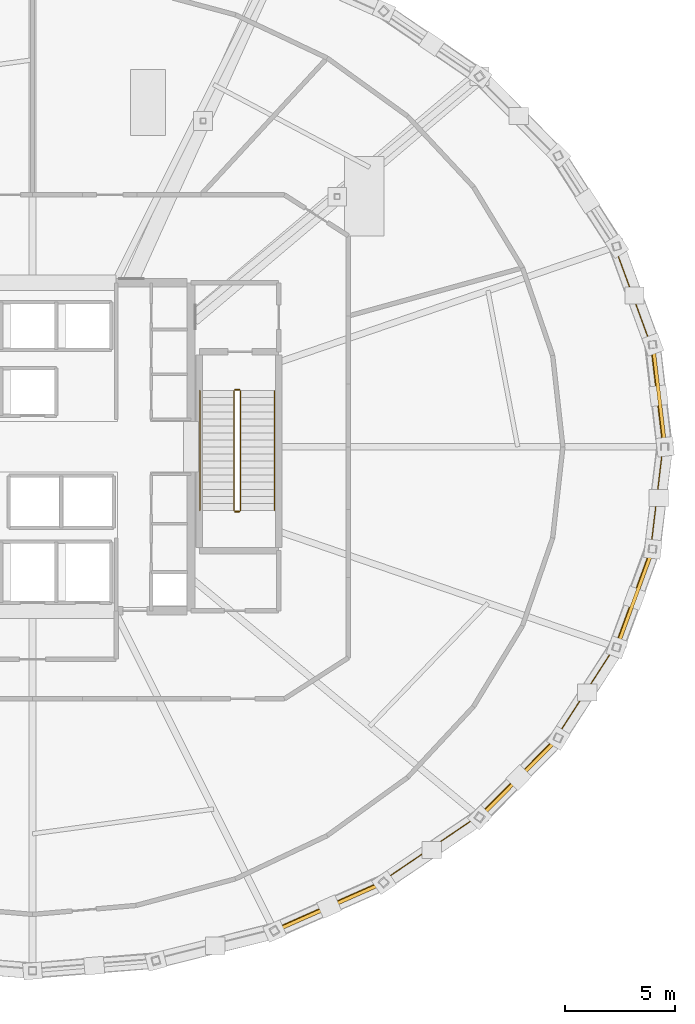
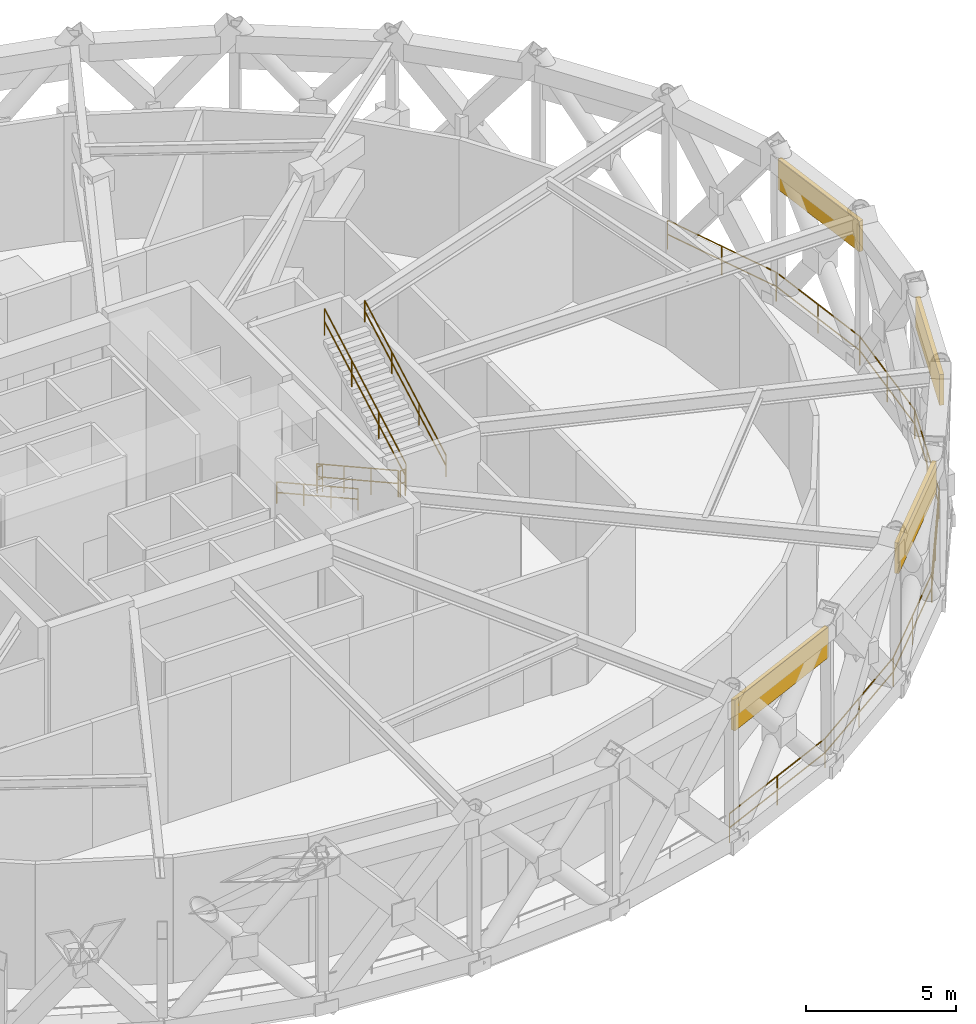
# One storey, part 13 of 15: 10 railings, 4 shading devices.
"""IFC4 building model written with IfcOpenShell, lengths in metres."""

import ifcopenshell
import ifcopenshell.guid

model = None  # the IFC model being written
_history = None  # IfcOwnerHistory: only IFC2X3 demands one
_inside = {}  # id of a spatial element -> (the spatial element, [elements in it])
_under = {}  # id of a project, library or spatial element -> (it, [spatial elements below it])
_declared = {}  # id of a project -> (the project, [libraries it declares])
_typed = {}  # id of a type object -> (the type object, [elements of that type])
_made_of = {}  # id of a material, layer set ... -> (it, [elements and type objects made of it])


def new_model(schema):
    """Start an empty IFC model of exactly this schema.

    Asked for "IFC4X3", IfcOpenShell would pick the latest addendum, in which some entities
    have other attributes; the version numbers below select the first issue.
    IFC2X3 requires an IfcOwnerHistory on every rooted entity: one is made here for all.
    """
    global model, _history
    if schema == "IFC4X3":
        model = ifcopenshell.file(schema_version=(4, 3, 0, 0))
    else:
        model = ifcopenshell.file(schema=schema)
    _inside.clear()
    _under.clear()
    _declared.clear()
    _typed.clear()
    _made_of.clear()
    _history = None
    if model.schema == "IFC2X3":
        org = make("IfcOrganization", Name="unknown")
        user = make(
            "IfcPersonAndOrganization",
            ThePerson=make("IfcPerson", FamilyName="unknown"),
            TheOrganization=org,
        )
        app = make(
            "IfcApplication",
            ApplicationDeveloper=org,
            Version="unknown",
            ApplicationFullName="unknown",
            ApplicationIdentifier="unknown",
        )
        _history = make(
            "IfcOwnerHistory",
            OwningUser=user,
            OwningApplication=app,
            ChangeAction="ADDED",
            CreationDate=0,
        )
    return model


def make(cls, **values):
    """One entity of the class cls with the attributes given. An attribute that is None is left unset."""
    return model.create_entity(
        cls, **{name: value for name, value in values.items() if value is not None}
    )


def rooted(cls, **values):
    """An entity with a GlobalId (a new one), such as an element, a storey or a relation."""
    return make(cls, GlobalId=ifcopenshell.guid.new(), OwnerHistory=_history, **values)


def si_unit(unit_type, name, prefix=None):
    """IfcSIUnit, for example si_unit("LENGTHUNIT", "METRE", prefix="MILLI")."""
    return make("IfcSIUnit", UnitType=unit_type, Prefix=prefix, Name=name)


def assignment(units):
    """IfcUnitAssignment: the units of a project."""
    return None if units is None else make("IfcUnitAssignment", Units=units)


def point(xyz):
    """IfcCartesianPoint."""
    return None if xyz is None else make("IfcCartesianPoint", Coordinates=xyz)


def direction(xyz):
    """IfcDirection."""
    return None if xyz is None else make("IfcDirection", DirectionRatios=xyz)


def frame(location, z_axis=None, x_axis=None):
    """IfcAxis2Placement3D, a coordinate frame: its origin and axes. An axis left out is left unset."""
    return make(
        "IfcAxis2Placement3D",
        Location=point(location),
        Axis=direction(z_axis),
        RefDirection=direction(x_axis),
    )


def frame_2d(location, x_axis=None):
    """IfcAxis2Placement2D, a coordinate frame in the plane: its origin and x axis."""
    return make(
        "IfcAxis2Placement2D", Location=point(location), RefDirection=direction(x_axis)
    )


def origin():
    """The frame at (0, 0, 0) with its axes left unset."""
    return frame((0.0, 0.0, 0.0))


def origin_2d():
    """The frame at (0, 0) in the plane with its x axis left unset."""
    return frame_2d((0.0, 0.0))


def place(relative_to, where):
    """IfcLocalPlacement: puts the frame where relative to a parent placement (None: the world)."""
    return make(
        "IfcLocalPlacement", PlacementRelTo=relative_to, RelativePlacement=where
    )


def context(
    kind, dimensions, precision=None, world=None, true_north=None, identifier=None
):
    """IfcGeometricRepresentationContext, for example the 3D "Model" context."""
    return make(
        "IfcGeometricRepresentationContext",
        ContextIdentifier=identifier,
        ContextType=kind,
        CoordinateSpaceDimension=dimensions,
        Precision=precision,
        WorldCoordinateSystem=world,
        TrueNorth=true_north,
    )


def subcontext(parent, identifier, kind, view, scale=None):
    """IfcGeometricRepresentationSubContext, for example "Body" below "Model"."""
    return make(
        "IfcGeometricRepresentationSubContext",
        ContextIdentifier=identifier,
        ContextType=kind,
        ParentContext=parent,
        TargetScale=scale,
        TargetView=view,
    )


def project(units=None, contexts=None):
    """IfcProject with its units and contexts."""
    return rooted(
        "IfcProject",
        Name="project",
        RepresentationContexts=contexts,
        UnitsInContext=assignment(units),
    )


def spatial(cls, under=None, at=None, **own):
    """A site, building, storey or space (cls), placed at a placement, below another one or the project."""
    s = rooted(cls, ObjectPlacement=at, **own)
    if under is not None:
        _under.setdefault(under.id(), (under, []))[1].append(s)
    return s


def profile(cls, at=None, kind="AREA", **sizes):
    """A parametric profile (cls). Its sizes go by their IFC names, for example OverallWidth=200.0."""
    return make(cls, ProfileType=kind, Position=at, **sizes)


def rectangle(**sizes):
    """IfcRectangleProfileDef."""
    return profile("IfcRectangleProfileDef", **sizes)


def circle(**sizes):
    """IfcCircleProfileDef."""
    return profile("IfcCircleProfileDef", **sizes)


def extrude(swept, where, along, depth):
    """IfcExtrudedAreaSolid: the profile swept, set in the frame where, extruded along a direction by depth."""
    return make(
        "IfcExtrudedAreaSolid",
        SweptArea=swept,
        Position=where,
        ExtrudedDirection=direction(along),
        Depth=depth,
    )


def shape(context_of_items, identifier, shape_type, items):
    """IfcShapeRepresentation: the items that make up one representation, for example the "Body"."""
    return make(
        "IfcShapeRepresentation",
        ContextOfItems=context_of_items,
        RepresentationIdentifier=identifier,
        RepresentationType=shape_type,
        Items=items,
    )


def material(Name=None, Category=None):
    """IfcMaterial."""
    return make("IfcMaterial", Name=Name, Category=Category)


def layer(
    of_material, thickness, ventilated=None, Name=None, Category=None, Priority=None
):
    """IfcMaterialLayer: one layer of a wall or slab, of a material (None: an air gap)."""
    return make(
        "IfcMaterialLayer",
        Material=of_material,
        LayerThickness=thickness,
        IsVentilated=ventilated,
        Name=Name,
        Category=Category,
        Priority=Priority,
    )


def layer_set(layers, Name=None):
    """IfcMaterialLayerSet."""
    return make("IfcMaterialLayerSet", MaterialLayers=layers, LayerSetName=Name)


def made_of(thing, what):
    """Note that an element or type object is made of a material, layer set ...; save() writes the relation."""
    if what is not None:
        _made_of.setdefault(what.id(), (what, []))[1].append(thing)
    return thing


def type_object(cls, material=None, **own):
    """A type object (cls), such as IfcWallType, which elements share."""
    return made_of(rooted(cls, **own), material)


def element(
    cls,
    number,
    at=None,
    inside=None,
    cuts=None,
    type_object=None,
    material=None,
    context=None,
    identifier="Body",
    shape_type=None,
    held_by="IfcProductDefinitionShape",
    body=None,
    shapes=None,
    **own,
):
    """One element of the class cls, such as IfcWall. Its Tag is "e" and its number.

    at: its placement. inside: the storey or other place that contains it. cuts: it is an
    opening in that element (IfcRelVoidsElement). A single representation is given by context,
    identifier, shape_type and body (its items); several are given by shapes. held_by: the class
    of the entity that holds the representations. save() writes the other relations.
    """
    e = rooted(cls, Tag="e%d" % number, ObjectPlacement=at, **own)
    if body is not None:
        shapes = [shape(context, identifier, shape_type, body)]
    if shapes is not None:
        e.Representation = make(held_by, Representations=shapes)
    if inside is not None:
        _inside.setdefault(inside.id(), (inside, []))[1].append(e)
    if cuts is not None:
        rooted(
            "IfcRelVoidsElement", RelatingBuildingElement=cuts, RelatedOpeningElement=e
        )
    if type_object is not None:
        _typed.setdefault(type_object.id(), (type_object, []))[1].append(e)
    return made_of(e, material)


def aggregate(whole, parts):
    """IfcRelAggregates: a whole, such as a stair, and the parts it consists of."""
    return rooted("IfcRelAggregates", RelatingObject=whole, RelatedObjects=parts)


def save(model, path):
    """Write the relations noted so far, then the file.

    IfcRelAggregates (storeys below a building ...), IfcRelContainedInSpatialStructure (elements
    in a storey), IfcRelDefinesByType, IfcRelAssociatesMaterial and IfcRelDeclares: one each for
    every whole, place, type object, material and project.
    """
    for whole, parts in _under.values():
        aggregate(whole, parts)
    for where, things in _inside.values():
        rooted(
            "IfcRelContainedInSpatialStructure",
            RelatedElements=things,
            RelatingStructure=where,
        )
    for kind, things in _typed.values():
        rooted("IfcRelDefinesByType", RelatedObjects=things, RelatingType=kind)
    for what, things in _made_of.values():
        rooted("IfcRelAssociatesMaterial", RelatedObjects=things, RelatingMaterial=what)
    for by, libraries in _declared.values():
        rooted("IfcRelDeclares", RelatingContext=by, RelatedDefinitions=libraries)
    model.write(path)


model = new_model("IFC4")

# Units and contexts
model_context = context("Model", 3, precision=1e-05, world=origin(), true_north=direction((0.0, 1.0)))
body_context = subcontext(model_context, "Body", "Model", "MODEL_VIEW")
ifc_project = project(units=[si_unit("LENGTHUNIT", "METRE"), si_unit("AREAUNIT", "SQUARE_METRE"), si_unit("VOLUMEUNIT", "CUBIC_METRE"), si_unit("PLANEANGLEUNIT", "RADIAN"), si_unit("MASSUNIT", "GRAM", prefix="KILO")], contexts=[model_context])

# Site, building, storey
site_placement = place(None, origin())
site = spatial("IfcSite", under=ifc_project, at=site_placement, CompositionType="ELEMENT")
building_placement = place(site_placement, origin())
building = spatial("IfcBuilding", under=site, at=building_placement, Name="Veldorina Hangang Commons", CompositionType="ELEMENT")
storey_placement = place(building_placement, frame((0.0, 0.0, 110.800048828125)))
storey = spatial("IfcBuildingStorey", under=building, at=storey_placement, Name="L28", CompositionType="ELEMENT", Elevation=110.800048828125)

# Shading devices
ifc_material_1 = material(Name="Bronze Perforated Anodized", Category="metal")
ifc_layer = layer(ifc_material_1, 0.159912109375)
ifc_layer_set = layer_set([ifc_layer], Name="Bronze Perforated Anodized")
shading_device_type = type_object("IfcShadingDeviceType", Name="LVR-WND-4800", PredefinedType="JALOUSIE", material=ifc_layer_set)
shading_device_1_placement = place(storey_placement, frame((60.468994140625, 26.32373046875, 4.5849609375), z_axis=(0.0, 0.0, 1.0), x_axis=(-0.118005356875, 0.9930129585, 0.0)))
element("IfcShadingDevice", 1, at=shading_device_1_placement, inside=storey, type_object=shading_device_type, Name="L28 open wind-floor high storm louvre 00", PredefinedType="JALOUSIE", context=body_context, shape_type="SweptSolid", body=[
    extrude(rectangle(XDim=4.56005859375, YDim=0.159912109375, at=origin_2d()), origin(), (0.0, 0.0, 1.0), 1.25),
])
shading_device_2_placement = place(storey_placement, frame((45.485107421875, 3.09228515625, 4.5849609375), z_axis=(0.0, 0.0, 1.0), x_axis=(0.914310514759, 0.405013928897, 0.0)))
element("IfcShadingDevice", 2, at=shading_device_2_placement, inside=storey, type_object=shading_device_type, Name="L28 open wind-floor high storm louvre 26", PredefinedType="JALOUSIE", context=body_context, shape_type="SweptSolid", body=[
    extrude(rectangle(XDim=5.3154296875, YDim=0.159912109375, at=origin_2d()), origin(), (0.0, 0.0, 1.0), 1.25),
])
shading_device_3_placement = place(storey_placement, frame((54.11328125, 8.96044921875, 4.5849609375), z_axis=(0.0, 0.0, 1.0), x_axis=(0.703667578356, 0.710529337304, 0.0)))
element("IfcShadingDevice", 3, at=shading_device_3_placement, inside=storey, type_object=shading_device_type, Name="L28 open wind-floor high storm louvre 28", PredefinedType="JALOUSIE", context=body_context, shape_type="SweptSolid", body=[
    extrude(rectangle(XDim=4.96044921875, YDim=0.159912109375, at=origin_2d()), origin(), (0.0, 0.0, 1.0), 1.25),
])
shading_device_4_placement = place(storey_placement, frame((59.375, 17.1181640625, 4.5849609375), z_axis=(0.0, 0.0, 1.0), x_axis=(0.343758034421, 0.939058258987, 0.0)))
element("IfcShadingDevice", 4, at=shading_device_4_placement, inside=storey, type_object=shading_device_type, Name="L28 open wind-floor high storm louvre 30", PredefinedType="JALOUSIE", context=body_context, shape_type="SweptSolid", body=[
    extrude(rectangle(XDim=4.638671875, YDim=0.159912109375, at=origin_2d()), origin(), (0.0, 0.0, 1.0), 1.25),
])

# Railings
ifc_material_2 = material(Name="Steel Painted Balustrade", Category="steel")
railing_type_1 = type_object("IfcRailingType", Name="RL-GRD-STAIR", PredefinedType="GUARDRAIL", material=ifc_material_2)
railing_1_placement = place(storey_placement, frame((41.14990234375, 26.550048828125, 0.177734375)))
element("IfcRailing", 5, at=railing_1_placement, inside=storey, type_object=railing_type_1, Name="L28 ST-2 stair guard 1", PredefinedType="GUARDRAIL", context=body_context, shape_type="SweptSolid", body=[
    extrude(circle(Radius=0.02392578125, at=origin_2d()), frame((0.0, 0.0, 1.076171875), z_axis=(0.0, -0.874155425575, 0.485646262148), x_axis=(1.0, 0.0, 0.0)), (0.0, 0.0, 1.0), 6.22314453125),
    extrude(circle(Radius=0.02392578125, at=origin_2d()), frame((0.0, 0.0, 0.550048828125), z_axis=(0.0, -0.874155425575, 0.485646262148), x_axis=(1.0, 0.0, 0.0)), (0.0, 0.0, 1.0), 6.22314453125),
    extrude(circle(Radius=0.02099609375, at=origin_2d()), origin(), (0.0, 0.0, 1.0), 1.052001953125),
    extrude(circle(Radius=0.02099609375, at=origin_2d()), frame((0.0, -1.813232421875, 1.00732421875)), (0.0, 0.0, 1.0), 1.052001953125),
    extrude(circle(Radius=0.02099609375, at=origin_2d()), frame((0.0, -3.626708984375, 2.014892578125)), (0.0, 0.0, 1.0), 1.052001953125),
    extrude(circle(Radius=0.02099609375, at=origin_2d()), frame((0.0, -5.43994140625, 3.022216796875)), (0.0, 0.0, 1.0), 1.052001953125),
])
railing_2_placement = place(storey_placement, frame((41.199951171875, 21.06005859375, 3.199951171875)))
element("IfcRailing", 6, at=railing_2_placement, inside=storey, type_object=railing_type_1, Name="L28 ST-2 stair guard 2", PredefinedType="GUARDRAIL", context=body_context, shape_type="SweptSolid", body=[
    extrude(circle(Radius=0.02392578125, at=origin_2d()), frame((0.0, 0.0, 1.076171875), z_axis=(1.0, 0.0, 0.0), x_axis=(0.0, 1.0, 0.0)), (0.0, 0.0, 1.0), 0.199951171875),
    extrude(circle(Radius=0.02392578125, at=origin_2d()), frame((0.0, 0.0, 0.550048828125), z_axis=(1.0, 0.0, 0.0), x_axis=(0.0, 1.0, 0.0)), (0.0, 0.0, 1.0), 0.199951171875),
    extrude(circle(Radius=0.02099609375, at=origin_2d()), origin(), (0.0, 0.0, 1.0), 1.052001953125),
    extrude(circle(Radius=0.02099609375, at=origin_2d()), frame((0.199951171875, 0.0, 0.0)), (0.0, 0.0, 1.0), 1.052001953125),
])
railing_3_placement = place(storey_placement, frame((41.449951171875, 21.110107421875, 3.377685546875)))
element("IfcRailing", 7, at=railing_3_placement, inside=storey, type_object=railing_type_1, Name="L28 ST-2 stair guard 3", PredefinedType="GUARDRAIL", context=body_context, shape_type="SweptSolid", body=[
    extrude(circle(Radius=0.02392578125, at=origin_2d()), frame((0.0, 0.0, 1.076171875), z_axis=(0.0, 0.874155425575, 0.485646262148), x_axis=(-1.0, 0.0, 0.0)), (0.0, 0.0, 1.0), 6.22314453125),
    extrude(circle(Radius=0.02392578125, at=origin_2d()), frame((0.0, 0.0, 0.550048828125), z_axis=(0.0, 0.874155425575, 0.485646262148), x_axis=(-1.0, 0.0, 0.0)), (0.0, 0.0, 1.0), 6.22314453125),
    extrude(circle(Radius=0.02099609375, at=origin_2d()), origin(), (0.0, 0.0, 1.0), 1.052001953125),
    extrude(circle(Radius=0.02099609375, at=origin_2d()), frame((0.0, 1.813232421875, 1.00732421875)), (0.0, 0.0, 1.0), 1.052001953125),
    extrude(circle(Radius=0.02099609375, at=origin_2d()), frame((0.0, 3.626708984375, 2.014892578125)), (0.0, 0.0, 1.0), 1.052001953125),
    extrude(circle(Radius=0.02099609375, at=origin_2d()), frame((0.0, 5.43994140625, 3.022216796875)), (0.0, 0.0, 1.0), 1.052001953125),
])
railing_4_placement = place(storey_placement, frame((41.199951171875, 26.60009765625, 0.0)))
element("IfcRailing", 8, at=railing_4_placement, inside=storey, type_object=railing_type_1, Name="L28 ST-2 stair guard 4", PredefinedType="GUARDRAIL", context=body_context, shape_type="SweptSolid", body=[
    extrude(circle(Radius=0.02392578125, at=origin_2d()), frame((0.0, 0.0, 1.076171875), z_axis=(1.0, 0.0, 0.0), x_axis=(0.0, 1.0, 0.0)), (0.0, 0.0, 1.0), 0.199951171875),
    extrude(circle(Radius=0.02392578125, at=origin_2d()), frame((0.0, 0.0, 0.550048828125), z_axis=(1.0, 0.0, 0.0), x_axis=(0.0, 1.0, 0.0)), (0.0, 0.0, 1.0), 0.199951171875),
    extrude(circle(Radius=0.02099609375, at=origin_2d()), origin(), (0.0, 0.0, 1.0), 1.052001953125),
    extrude(circle(Radius=0.02099609375, at=origin_2d()), frame((0.199951171875, 0.0, 0.0)), (0.0, 0.0, 1.0), 1.052001953125),
])
ifc_material_3 = material(Name="Stainless Steel Brushed 316", Category="steel")
railing_type_2 = type_object("IfcRailingType", Name="RL-GRD-WIND", PredefinedType="GUARDRAIL", material=ifc_material_3)
railing_5_placement = place(storey_placement, frame((60.645263671875, 24.0, 0.0)))
element("IfcRailing", 9, at=railing_5_placement, inside=storey, type_object=railing_type_2, Name="L28 wind gallery perimeter safety guard 01", PredefinedType="GUARDRAIL", context=body_context, shape_type="SweptSolid", body=[
    extrude(circle(Radius=0.02392578125, at=origin_2d()), frame((0.0, 0.0, 1.17578125), z_axis=(-0.118150211991, 0.992995733831, 0.0), x_axis=(-0.992995733831, -0.118150211991, 0.0)), (0.0, 0.0, 1.0), 4.663818359375),
    extrude(circle(Radius=0.02392578125, at=origin_2d()), frame((0.0, 0.0, 0.60009765625), z_axis=(-0.118150211991, 0.992995733831, 0.0), x_axis=(-0.992995733831, -0.118150211991, 0.0)), (0.0, 0.0, 1.0), 4.663818359375),
    extrude(circle(Radius=0.02392578125, at=origin_2d()), frame((-0.551025390625, 4.631103515625, 1.17578125), z_axis=(-0.344123034813, 0.938924564015, 0.0), x_axis=(-0.938924564015, -0.344123034813, 0.0)), (0.0, 0.0, 1.0), 4.741943359375),
    extrude(circle(Radius=0.02392578125, at=origin_2d()), frame((-0.551025390625, 4.631103515625, 0.60009765625), z_axis=(-0.344123034813, 0.938924564015, 0.0), x_axis=(-0.938924564015, -0.344123034813, 0.0)), (0.0, 0.0, 1.0), 4.741943359375),
    extrude(circle(Radius=0.02099609375, at=origin_2d()), origin(), (0.0, 0.0, 1.0), 1.15185546875),
    extrude(circle(Radius=0.02099609375, at=origin_2d()), frame((-0.275390625, 2.3154296875, 0.0)), (0.0, 0.0, 1.0), 1.15185546875),
    extrude(circle(Radius=0.02099609375, at=origin_2d()), frame((-0.551025390625, 4.631103515625, 0.0)), (0.0, 0.0, 1.0), 1.15185546875),
    extrude(circle(Radius=0.02099609375, at=origin_2d()), frame((-1.366943359375, 6.857421875, 0.0)), (0.0, 0.0, 1.0), 1.15185546875),
    extrude(circle(Radius=0.02099609375, at=origin_2d()), frame((-2.182861328125, 9.08349609375, 0.0)), (0.0, 0.0, 1.0), 1.15185546875),
])
railing_6_placement = place(storey_placement, frame((42.95556640625, 2.0810546875, 0.0)))
element("IfcRailing", 10, at=railing_6_placement, inside=storey, type_object=railing_type_2, Name="L28 wind gallery perimeter safety guard 14", PredefinedType="GUARDRAIL", context=body_context, shape_type="SweptSolid", body=[
    extrude(circle(Radius=0.02392578125, at=origin_2d()), frame((0.0, 0.0, 1.17578125), z_axis=(0.914550093423, 0.4044726525, 0.0), x_axis=(-0.4044726525, 0.914550093423, 0.0)), (0.0, 0.0, 1.0), 5.414306640625),
    extrude(circle(Radius=0.02392578125, at=origin_2d()), frame((0.0, 0.0, 0.60009765625), z_axis=(0.914550093423, 0.4044726525, 0.0), x_axis=(-0.4044726525, 0.914550093423, 0.0)), (0.0, 0.0, 1.0), 5.414306640625),
    extrude(circle(Radius=0.02392578125, at=origin_2d()), frame((4.95166015625, 2.18994140625, 1.17578125), z_axis=(0.827260341396, 0.561818767533, 0.0), x_axis=(-0.561818767533, 0.827260341396, 0.0)), (0.0, 0.0, 1.0), 5.248046875),
    extrude(circle(Radius=0.02392578125, at=origin_2d()), frame((4.95166015625, 2.18994140625, 0.60009765625), z_axis=(0.827260341396, 0.561818767533, 0.0), x_axis=(-0.561818767533, 0.827260341396, 0.0)), (0.0, 0.0, 1.0), 5.248046875),
    extrude(circle(Radius=0.02099609375, at=origin_2d()), origin(), (0.0, 0.0, 1.0), 1.15185546875),
    extrude(circle(Radius=0.02099609375, at=origin_2d()), frame((2.475830078125, 1.094970703125, 0.0)), (0.0, 0.0, 1.0), 1.15185546875),
    extrude(circle(Radius=0.02099609375, at=origin_2d()), frame((4.95166015625, 2.18994140625, 0.0)), (0.0, 0.0, 1.0), 1.15185546875),
    extrude(circle(Radius=0.02099609375, at=origin_2d()), frame((7.12255859375, 3.6640625, 0.0)), (0.0, 0.0, 1.0), 1.15185546875),
    extrude(circle(Radius=0.02099609375, at=origin_2d()), frame((9.293212890625, 5.138427734375, 0.0)), (0.0, 0.0, 1.0), 1.15185546875),
])
railing_7_placement = place(storey_placement, frame((52.248779296875, 7.219482421875, 0.0)))
element("IfcRailing", 11, at=railing_7_placement, inside=storey, type_object=railing_type_2, Name="L28 wind gallery perimeter safety guard 15", PredefinedType="GUARDRAIL", context=body_context, shape_type="SweptSolid", body=[
    extrude(circle(Radius=0.02392578125, at=origin_2d()), frame((0.0, 0.0, 1.17578125), z_axis=(0.704158628133, 0.710042693382, 0.0), x_axis=(-0.710042693382, 0.704158628133, 0.0)), (0.0, 0.0, 1.0), 5.06201171875),
    extrude(circle(Radius=0.02392578125, at=origin_2d()), frame((0.0, 0.0, 0.60009765625), z_axis=(0.704158628133, 0.710042693382, 0.0), x_axis=(-0.710042693382, 0.704158628133, 0.0)), (0.0, 0.0, 1.0), 5.06201171875),
    extrude(circle(Radius=0.02392578125, at=origin_2d()), frame((3.564453125, 3.59423828125, 1.17578125), z_axis=(0.542446791687, 0.84009016075, 0.0), x_axis=(-0.84009016075, 0.542446791687, 0.0)), (0.0, 0.0, 1.0), 4.8837890625),
    extrude(circle(Radius=0.02392578125, at=origin_2d()), frame((3.564453125, 3.59423828125, 0.60009765625), z_axis=(0.542446791687, 0.84009016075, 0.0), x_axis=(-0.84009016075, 0.542446791687, 0.0)), (0.0, 0.0, 1.0), 4.8837890625),
    extrude(circle(Radius=0.02099609375, at=origin_2d()), origin(), (0.0, 0.0, 1.0), 1.15185546875),
    extrude(circle(Radius=0.02099609375, at=origin_2d()), frame((1.7822265625, 1.797119140625, 0.0)), (0.0, 0.0, 1.0), 1.15185546875),
    extrude(circle(Radius=0.02099609375, at=origin_2d()), frame((3.564453125, 3.59423828125, 0.0)), (0.0, 0.0, 1.0), 1.15185546875),
    extrude(circle(Radius=0.02099609375, at=origin_2d()), frame((4.88916015625, 5.6455078125, 0.0)), (0.0, 0.0, 1.0), 1.15185546875),
    extrude(circle(Radius=0.02099609375, at=origin_2d()), frame((6.213623046875, 7.697021484375, 0.0)), (0.0, 0.0, 1.0), 1.15185546875),
])
railing_8_placement = place(storey_placement, frame((58.46240234375, 14.91650390625, 0.0)))
element("IfcRailing", 12, at=railing_8_placement, inside=storey, type_object=railing_type_2, Name="L28 wind gallery perimeter safety guard 16", PredefinedType="GUARDRAIL", context=body_context, shape_type="SweptSolid", body=[
    extrude(circle(Radius=0.02392578125, at=origin_2d()), frame((0.0, 0.0, 1.17578125), z_axis=(0.344123034813, 0.938924564015, 0.0), x_axis=(-0.938924564015, 0.344123034813, 0.0)), (0.0, 0.0, 1.0), 4.741943359375),
    extrude(circle(Radius=0.02392578125, at=origin_2d()), frame((0.0, 0.0, 0.60009765625), z_axis=(0.344123034813, 0.938924564015, 0.0), x_axis=(-0.938924564015, 0.344123034813, 0.0)), (0.0, 0.0, 1.0), 4.741943359375),
    extrude(circle(Radius=0.02392578125, at=origin_2d()), frame((1.6318359375, 4.452392578125, 1.17578125), z_axis=(0.118150211991, 0.992995733831, 0.0), x_axis=(-0.992995733831, 0.118150211991, 0.0)), (0.0, 0.0, 1.0), 4.663818359375),
    extrude(circle(Radius=0.02392578125, at=origin_2d()), frame((1.6318359375, 4.452392578125, 0.60009765625), z_axis=(0.118150211991, 0.992995733831, 0.0), x_axis=(-0.992995733831, 0.118150211991, 0.0)), (0.0, 0.0, 1.0), 4.663818359375),
    extrude(circle(Radius=0.02099609375, at=origin_2d()), origin(), (0.0, 0.0, 1.0), 1.15185546875),
    extrude(circle(Radius=0.02099609375, at=origin_2d()), frame((0.81591796875, 2.22607421875, 0.0)), (0.0, 0.0, 1.0), 1.15185546875),
    extrude(circle(Radius=0.02099609375, at=origin_2d()), frame((1.6318359375, 4.452392578125, 0.0)), (0.0, 0.0, 1.0), 1.15185546875),
    extrude(circle(Radius=0.02099609375, at=origin_2d()), frame((1.9072265625, 6.76806640625, 0.0)), (0.0, 0.0, 1.0), 1.15185546875),
    extrude(circle(Radius=0.02099609375, at=origin_2d()), frame((2.182861328125, 9.08349609375, 0.0)), (0.0, 0.0, 1.0), 1.15185546875),
])
railing_type_3 = type_object("IfcRailingType", Name="RL-HND-STAIR", PredefinedType="HANDRAIL", material=ifc_material_3)
railing_9_placement = place(storey_placement, frame((39.60009765625, 26.550048828125, 0.177734375)))
element("IfcRailing", 13, at=railing_9_placement, inside=storey, type_object=railing_type_3, Name="L28 ST-2 stair handrail 1", PredefinedType="HANDRAIL", context=body_context, shape_type="SweptSolid", body=[
    extrude(circle(Radius=0.02392578125, at=origin_2d()), frame((0.0, 0.0, 0.8759765625), z_axis=(0.0, -0.874155425575, 0.485646262148), x_axis=(1.0, 0.0, 0.0)), (0.0, 0.0, 1.0), 6.22314453125),
    extrude(circle(Radius=0.02392578125, at=origin_2d()), frame((0.0, 0.0, 0.449951171875), z_axis=(0.0, -0.874155425575, 0.485646262148), x_axis=(1.0, 0.0, 0.0)), (0.0, 0.0, 1.0), 6.22314453125),
    extrude(circle(Radius=0.02099609375, at=origin_2d()), origin(), (0.0, 0.0, 1.0), 0.851806640625),
    extrude(circle(Radius=0.02099609375, at=origin_2d()), frame((0.0, -1.813232421875, 1.00732421875)), (0.0, 0.0, 1.0), 0.851806640625),
    extrude(circle(Radius=0.02099609375, at=origin_2d()), frame((0.0, -3.626708984375, 2.014892578125)), (0.0, 0.0, 1.0), 0.851806640625),
    extrude(circle(Radius=0.02099609375, at=origin_2d()), frame((0.0, -5.43994140625, 3.022216796875)), (0.0, 0.0, 1.0), 0.851806640625),
])
railing_10_placement = place(storey_placement, frame((43.0, 21.110107421875, 3.377685546875)))
element("IfcRailing", 14, at=railing_10_placement, inside=storey, type_object=railing_type_3, Name="L28 ST-2 stair handrail 2", PredefinedType="HANDRAIL", context=body_context, shape_type="SweptSolid", body=[
    extrude(circle(Radius=0.02392578125, at=origin_2d()), frame((0.0, 0.0, 0.8759765625), z_axis=(0.0, 0.874155425575, 0.485646262148), x_axis=(-1.0, 0.0, 0.0)), (0.0, 0.0, 1.0), 6.22314453125),
    extrude(circle(Radius=0.02392578125, at=origin_2d()), frame((0.0, 0.0, 0.449951171875), z_axis=(0.0, 0.874155425575, 0.485646262148), x_axis=(-1.0, 0.0, 0.0)), (0.0, 0.0, 1.0), 6.22314453125),
    extrude(circle(Radius=0.02099609375, at=origin_2d()), origin(), (0.0, 0.0, 1.0), 0.851806640625),
    extrude(circle(Radius=0.02099609375, at=origin_2d()), frame((0.0, 1.813232421875, 1.00732421875)), (0.0, 0.0, 1.0), 0.851806640625),
    extrude(circle(Radius=0.02099609375, at=origin_2d()), frame((0.0, 3.626708984375, 2.014892578125)), (0.0, 0.0, 1.0), 0.851806640625),
    extrude(circle(Radius=0.02099609375, at=origin_2d()), frame((0.0, 5.43994140625, 3.022216796875)), (0.0, 0.0, 1.0), 0.851806640625),
])

save(model, "model.ifc")
